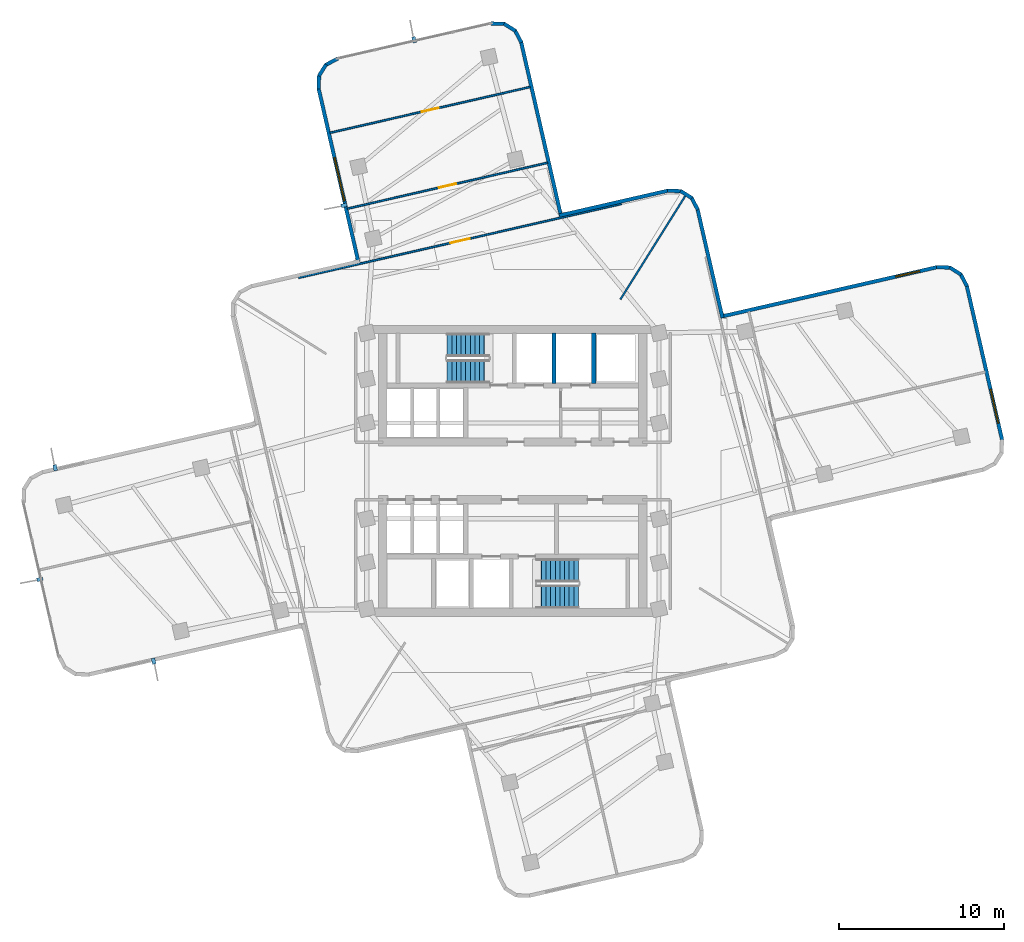
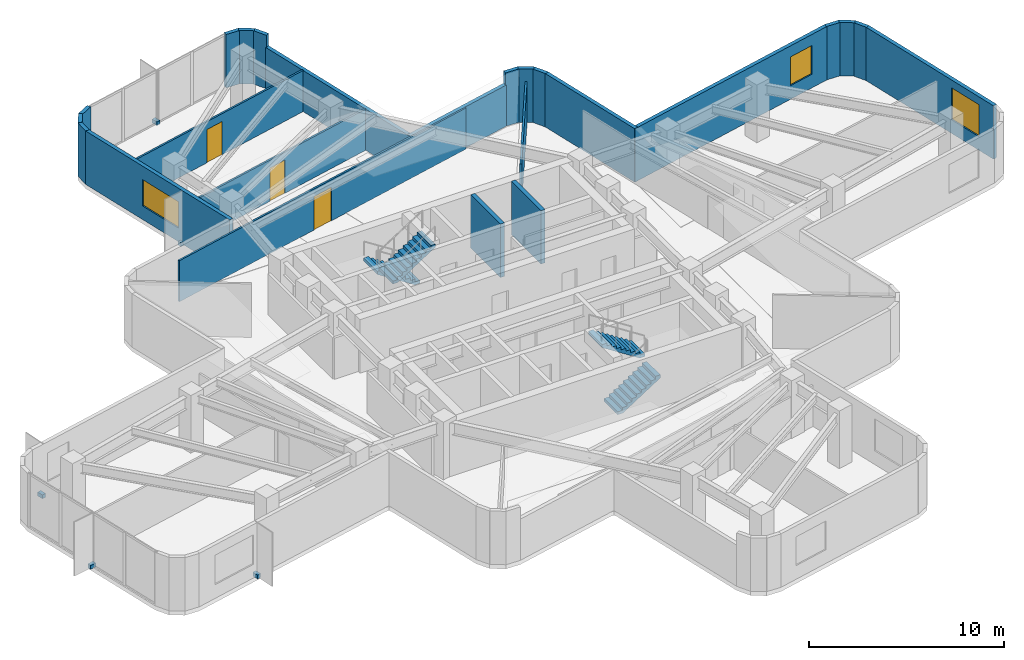
# One storey, part 8 of 11: 24 walls, 5 discrete accessories, 4 stair flights, 3 doors, 3 windows, 6 openings, 2 elements without a shape of their own.
"""IFC4 building model written with IfcOpenShell, lengths in metres."""

import ifcopenshell
import ifcopenshell.guid

model = None  # the IFC model being written
_history = None  # IfcOwnerHistory: only IFC2X3 demands one
_inside = {}  # id of a spatial element -> (the spatial element, [elements in it])
_under = {}  # id of a project, library or spatial element -> (it, [spatial elements below it])
_declared = {}  # id of a project -> (the project, [libraries it declares])
_typed = {}  # id of a type object -> (the type object, [elements of that type])
_made_of = {}  # id of a material, layer set ... -> (it, [elements and type objects made of it])


def new_model(schema):
    """Start an empty IFC model of exactly this schema.

    Asked for "IFC4X3", IfcOpenShell would pick the latest addendum, in which some entities
    have other attributes; the version numbers below select the first issue.
    IFC2X3 requires an IfcOwnerHistory on every rooted entity: one is made here for all.
    """
    global model, _history
    if schema == "IFC4X3":
        model = ifcopenshell.file(schema_version=(4, 3, 0, 0))
    else:
        model = ifcopenshell.file(schema=schema)
    _inside.clear()
    _under.clear()
    _declared.clear()
    _typed.clear()
    _made_of.clear()
    _history = None
    if model.schema == "IFC2X3":
        org = make("IfcOrganization", Name="unknown")
        user = make(
            "IfcPersonAndOrganization",
            ThePerson=make("IfcPerson", FamilyName="unknown"),
            TheOrganization=org,
        )
        app = make(
            "IfcApplication",
            ApplicationDeveloper=org,
            Version="unknown",
            ApplicationFullName="unknown",
            ApplicationIdentifier="unknown",
        )
        _history = make(
            "IfcOwnerHistory",
            OwningUser=user,
            OwningApplication=app,
            ChangeAction="ADDED",
            CreationDate=0,
        )
    return model


def make(cls, **values):
    """One entity of the class cls with the attributes given. An attribute that is None is left unset."""
    return model.create_entity(
        cls, **{name: value for name, value in values.items() if value is not None}
    )


def rooted(cls, **values):
    """An entity with a GlobalId (a new one), such as an element, a storey or a relation."""
    return make(cls, GlobalId=ifcopenshell.guid.new(), OwnerHistory=_history, **values)


def si_unit(unit_type, name, prefix=None):
    """IfcSIUnit, for example si_unit("LENGTHUNIT", "METRE", prefix="MILLI")."""
    return make("IfcSIUnit", UnitType=unit_type, Prefix=prefix, Name=name)


def assignment(units):
    """IfcUnitAssignment: the units of a project."""
    return None if units is None else make("IfcUnitAssignment", Units=units)


def point(xyz):
    """IfcCartesianPoint."""
    return None if xyz is None else make("IfcCartesianPoint", Coordinates=xyz)


def direction(xyz):
    """IfcDirection."""
    return None if xyz is None else make("IfcDirection", DirectionRatios=xyz)


def frame(location, z_axis=None, x_axis=None):
    """IfcAxis2Placement3D, a coordinate frame: its origin and axes. An axis left out is left unset."""
    return make(
        "IfcAxis2Placement3D",
        Location=point(location),
        Axis=direction(z_axis),
        RefDirection=direction(x_axis),
    )


def frame_2d(location, x_axis=None):
    """IfcAxis2Placement2D, a coordinate frame in the plane: its origin and x axis."""
    return make(
        "IfcAxis2Placement2D", Location=point(location), RefDirection=direction(x_axis)
    )


def origin():
    """The frame at (0, 0, 0) with its axes left unset."""
    return frame((0.0, 0.0, 0.0))


def origin_2d():
    """The frame at (0, 0) in the plane with its x axis left unset."""
    return frame_2d((0.0, 0.0))


def place(relative_to, where):
    """IfcLocalPlacement: puts the frame where relative to a parent placement (None: the world)."""
    return make(
        "IfcLocalPlacement", PlacementRelTo=relative_to, RelativePlacement=where
    )


def context(
    kind, dimensions, precision=None, world=None, true_north=None, identifier=None
):
    """IfcGeometricRepresentationContext, for example the 3D "Model" context."""
    return make(
        "IfcGeometricRepresentationContext",
        ContextIdentifier=identifier,
        ContextType=kind,
        CoordinateSpaceDimension=dimensions,
        Precision=precision,
        WorldCoordinateSystem=world,
        TrueNorth=true_north,
    )


def subcontext(parent, identifier, kind, view, scale=None):
    """IfcGeometricRepresentationSubContext, for example "Body" below "Model"."""
    return make(
        "IfcGeometricRepresentationSubContext",
        ContextIdentifier=identifier,
        ContextType=kind,
        ParentContext=parent,
        TargetScale=scale,
        TargetView=view,
    )


def project(units=None, contexts=None):
    """IfcProject with its units and contexts."""
    return rooted(
        "IfcProject",
        Name="project",
        RepresentationContexts=contexts,
        UnitsInContext=assignment(units),
    )


def spatial(cls, under=None, at=None, **own):
    """A site, building, storey or space (cls), placed at a placement, below another one or the project."""
    s = rooted(cls, ObjectPlacement=at, **own)
    if under is not None:
        _under.setdefault(under.id(), (under, []))[1].append(s)
    return s


def polyline(points):
    """IfcPolyline through the points."""
    return make("IfcPolyline", Points=[point(p) for p in points])


def profile(cls, at=None, kind="AREA", **sizes):
    """A parametric profile (cls). Its sizes go by their IFC names, for example OverallWidth=200.0."""
    return make(cls, ProfileType=kind, Position=at, **sizes)


def rectangle(**sizes):
    """IfcRectangleProfileDef."""
    return profile("IfcRectangleProfileDef", **sizes)


def outline(outer, holes=None, kind="AREA"):
    """IfcArbitraryClosedProfileDef: a profile drawn as a closed curve; with holes, ...WithVoids."""
    if holes is None:
        return make("IfcArbitraryClosedProfileDef", ProfileType=kind, OuterCurve=outer)
    return make(
        "IfcArbitraryProfileDefWithVoids",
        ProfileType=kind,
        OuterCurve=outer,
        InnerCurves=holes,
    )


def extrude(swept, where, along, depth):
    """IfcExtrudedAreaSolid: the profile swept, set in the frame where, extruded along a direction by depth."""
    return make(
        "IfcExtrudedAreaSolid",
        SweptArea=swept,
        Position=where,
        ExtrudedDirection=direction(along),
        Depth=depth,
    )


def shape(context_of_items, identifier, shape_type, items):
    """IfcShapeRepresentation: the items that make up one representation, for example the "Body"."""
    return make(
        "IfcShapeRepresentation",
        ContextOfItems=context_of_items,
        RepresentationIdentifier=identifier,
        RepresentationType=shape_type,
        Items=items,
    )


def material(Name=None, Category=None):
    """IfcMaterial."""
    return make("IfcMaterial", Name=Name, Category=Category)


def layer(
    of_material, thickness, ventilated=None, Name=None, Category=None, Priority=None
):
    """IfcMaterialLayer: one layer of a wall or slab, of a material (None: an air gap)."""
    return make(
        "IfcMaterialLayer",
        Material=of_material,
        LayerThickness=thickness,
        IsVentilated=ventilated,
        Name=Name,
        Category=Category,
        Priority=Priority,
    )


def layer_set(layers, Name=None):
    """IfcMaterialLayerSet."""
    return make("IfcMaterialLayerSet", MaterialLayers=layers, LayerSetName=Name)


def made_of(thing, what):
    """Note that an element or type object is made of a material, layer set ...; save() writes the relation."""
    if what is not None:
        _made_of.setdefault(what.id(), (what, []))[1].append(thing)
    return thing


def type_object(cls, material=None, **own):
    """A type object (cls), such as IfcWallType, which elements share."""
    return made_of(rooted(cls, **own), material)


def element(
    cls,
    number,
    at=None,
    inside=None,
    cuts=None,
    type_object=None,
    material=None,
    context=None,
    identifier="Body",
    shape_type=None,
    held_by="IfcProductDefinitionShape",
    body=None,
    shapes=None,
    **own,
):
    """One element of the class cls, such as IfcWall. Its Tag is "e" and its number.

    at: its placement. inside: the storey or other place that contains it. cuts: it is an
    opening in that element (IfcRelVoidsElement). A single representation is given by context,
    identifier, shape_type and body (its items); several are given by shapes. held_by: the class
    of the entity that holds the representations. save() writes the other relations.
    """
    e = rooted(cls, Tag="e%d" % number, ObjectPlacement=at, **own)
    if body is not None:
        shapes = [shape(context, identifier, shape_type, body)]
    if shapes is not None:
        e.Representation = make(held_by, Representations=shapes)
    if inside is not None:
        _inside.setdefault(inside.id(), (inside, []))[1].append(e)
    if cuts is not None:
        rooted(
            "IfcRelVoidsElement", RelatingBuildingElement=cuts, RelatedOpeningElement=e
        )
    if type_object is not None:
        _typed.setdefault(type_object.id(), (type_object, []))[1].append(e)
    return made_of(e, material)


def fill(opening, filler):
    """IfcRelFillsElement: the door or window that sits in an opening."""
    return rooted(
        "IfcRelFillsElement",
        RelatingOpeningElement=opening,
        RelatedBuildingElement=filler,
    )


def aggregate(whole, parts):
    """IfcRelAggregates: a whole, such as a stair, and the parts it consists of."""
    return rooted("IfcRelAggregates", RelatingObject=whole, RelatedObjects=parts)


def save(model, path):
    """Write the relations noted so far, then the file.

    IfcRelAggregates (storeys below a building ...), IfcRelContainedInSpatialStructure (elements
    in a storey), IfcRelDefinesByType, IfcRelAssociatesMaterial and IfcRelDeclares: one each for
    every whole, place, type object, material and project.
    """
    for whole, parts in _under.values():
        aggregate(whole, parts)
    for where, things in _inside.values():
        rooted(
            "IfcRelContainedInSpatialStructure",
            RelatedElements=things,
            RelatingStructure=where,
        )
    for kind, things in _typed.values():
        rooted("IfcRelDefinesByType", RelatedObjects=things, RelatingType=kind)
    for what, things in _made_of.values():
        rooted("IfcRelAssociatesMaterial", RelatedObjects=things, RelatingMaterial=what)
    for by, libraries in _declared.values():
        rooted("IfcRelDeclares", RelatingContext=by, RelatedDefinitions=libraries)
    model.write(path)


model = new_model("IFC4")

# Units and contexts
model_context = context("Model", 3, precision=1e-05, world=origin(), true_north=direction((0.0, 1.0)))
body_context = subcontext(model_context, "Body", "Model", "MODEL_VIEW")
ifc_project = project(units=[si_unit("LENGTHUNIT", "METRE"), si_unit("AREAUNIT", "SQUARE_METRE"), si_unit("VOLUMEUNIT", "CUBIC_METRE"), si_unit("PLANEANGLEUNIT", "RADIAN"), si_unit("MASSUNIT", "GRAM", prefix="KILO")], contexts=[model_context])

# Site, building, storey
site_placement = place(None, origin())
site = spatial("IfcSite", under=ifc_project, at=site_placement, CompositionType="ELEMENT")
building_placement = place(site_placement, origin())
building = spatial("IfcBuilding", under=site, at=building_placement, Name="Solmarez Civic Tower", CompositionType="ELEMENT")
storey_placement = place(building_placement, frame((0.0, 0.0, 119.8798828125)))
storey = spatial("IfcBuildingStorey", under=building, at=storey_placement, Name="L31", CompositionType="ELEMENT", Elevation=119.8798828125)

# Wall, opening, window
ifc_material_1 = material(Name="Precast concrete C40/50", Category="concrete")
ifc_layer_1 = layer(ifc_material_1, 0.219970703125)
ifc_layer_set_1 = layer_set([ifc_layer_1], Name="Precast concrete C40/50")
wall_type_1 = type_object("IfcWallType", Name="WALL-EXT-220", PredefinedType="SOLIDWALL", material=ifc_layer_set_1)
wall_1_placement = place(storey_placement, frame((-9.3349609375, 12.5849609375, 0.0), z_axis=(0.0, 0.0, 1.0), x_axis=(-0.22331741435, 0.974745778369, 0.0)))
wall_1 = element("IfcWall", 1, at=wall_1_placement, inside=storey, type_object=wall_type_1, Name="L31 Exterior Precast Wall 20", PredefinedType="SOLIDWALL", context=body_context, shape_type="SweptSolid", body=[
    extrude(rectangle(XDim=10.859130859375, YDim=0.219970703125, at=frame_2d((5.4296875, 0.0))), origin(), (0.0, 0.0, 1.0), 3.340087890625),
])
opening_1_placement = place(wall_1_placement, frame((3.85009765625, 0.0, 0.85009765625)))
opening_1 = element("IfcOpeningElement", 2, at=opening_1_placement, cuts=wall_1, Name="Opening W-09", PredefinedType="OPENING", context=body_context, shape_type="SweptSolid", body=[
    extrude(rectangle(XDim=2.699951171875, YDim=1.64990234375, at=frame_2d((1.35009765625, 0.824951171875))), frame((0.0, 0.119873046875, 0.0), z_axis=(0.0, -1.0, 0.0), x_axis=(1.0, 0.0, 0.0)), (0.0, 0.0, 1.0), 0.239990234375),
])
ifc_material_2 = material(Name="Solar Control Bronze-Tinted Insulating Glass", Category="glass")
window_type_1 = type_object("IfcWindowType", Name="WIN-2700X1650", PartitioningType="SINGLE_PANEL", PredefinedType="WINDOW", material=ifc_material_2)
window_1_placement = place(opening_1_placement, origin())
window_1 = element("IfcWindow", 3, at=window_1_placement, inside=storey, type_object=window_type_1, Name="L31 Exterior Facade Window 20", OverallHeight=1.64990234375, OverallWidth=2.699951171875, PartitioningType="SINGLE_PANEL", PredefinedType="WINDOW", context=body_context, shape_type="SweptSolid", body=[
    extrude(rectangle(XDim=2.699951171875, YDim=1.64990234375, at=frame_2d((1.35009765625, 0.824951171875))), frame((0.0, 0.030029296875, 0.0), z_axis=(0.0, -1.0, 0.0), x_axis=(1.0, 0.0, 0.0)), (0.0, 0.0, 1.0), 0.06005859375),
])
fill(opening_1, window_1)

# Walls
wall_2_placement = place(storey_placement, frame((-11.7548828125, 23.12109375, 0.0), z_axis=(0.0, 0.0, 1.0), x_axis=(0.036903333482, 0.999318839999, 0.0)))
element("IfcWall", 4, at=wall_2_placement, inside=storey, type_object=wall_type_1, Name="L31 Exterior Precast Wall 21", PredefinedType="SOLIDWALL", context=body_context, shape_type="SweptSolid", body=[
    extrude(rectangle(XDim=0.83349609375, YDim=0.219970703125, at=frame_2d((0.416748046875, 0.0))), origin(), (0.0, 0.0, 1.0), 3.340087890625),
])
wall_3_placement = place(storey_placement, frame((-11.738037109375, 23.907958984375, 0.0), z_axis=(0.0, 0.0, 1.0), x_axis=(0.531096868492, 0.847311109497, 0.0)))
element("IfcWall", 5, at=wall_3_placement, inside=storey, type_object=wall_type_1, Name="L31 Exterior Precast Wall 22", PredefinedType="SOLIDWALL", context=body_context, shape_type="SweptSolid", body=[
    extrude(rectangle(XDim=0.819091796875, YDim=0.219970703125, at=frame_2d((0.40966796875, 0.0))), origin(), (0.0, 0.0, 1.0), 3.340087890625),
])
wall_4_placement = place(storey_placement, frame((-11.337890625, 24.569091796875, 0.0), z_axis=(0.0, 0.0, 1.0), x_axis=(0.883396009524, 0.468627240307, 0.0)))
element("IfcWall", 6, at=wall_4_placement, inside=storey, type_object=wall_type_1, Name="L31 Exterior Precast Wall 23", PredefinedType="SOLIDWALL", context=body_context, shape_type="SweptSolid", body=[
    extrude(rectangle(XDim=0.833984375, YDim=0.219970703125, at=frame_2d((0.4169921875, 0.0))), origin(), (0.0, 0.0, 1.0), 3.340087890625),
])
wall_5_placement = place(storey_placement, frame((-1.319091796875, 27.0859375, 0.0), z_axis=(0.0, 0.0, 1.0), x_axis=(0.999309614288, -0.037152318798, 0.0)))
element("IfcWall", 7, at=wall_5_placement, inside=storey, type_object=wall_type_1, Name="L31 Exterior Precast Wall 25", PredefinedType="SOLIDWALL", context=body_context, shape_type="SweptSolid", body=[
    extrude(rectangle(XDim=0.83447265625, YDim=0.219970703125, at=frame_2d((0.417236328125, 0.0))), origin(), (0.0, 0.0, 1.0), 3.340087890625),
])
wall_6_placement = place(storey_placement, frame((-0.531005859375, 27.069091796875, 0.0), z_axis=(0.0, 0.0, 1.0), x_axis=(0.847311109497, -0.531096868492, 0.0)))
element("IfcWall", 8, at=wall_6_placement, inside=storey, type_object=wall_type_1, Name="L31 Exterior Precast Wall 26", PredefinedType="SOLIDWALL", context=body_context, shape_type="SweptSolid", body=[
    extrude(rectangle(XDim=0.819091796875, YDim=0.219970703125, at=frame_2d((0.40966796875, 0.0))), origin(), (0.0, 0.0, 1.0), 3.340087890625),
])
wall_7_placement = place(storey_placement, frame((0.1298828125, 26.6689453125, 0.0), z_axis=(0.0, 0.0, 1.0), x_axis=(0.468734444521, -0.883339131092, 0.0)))
element("IfcWall", 9, at=wall_7_placement, inside=storey, type_object=wall_type_1, Name="L31 Exterior Precast Wall 27", PredefinedType="SOLIDWALL", context=body_context, shape_type="SweptSolid", body=[
    extrude(rectangle(XDim=0.83447265625, YDim=0.219970703125, at=frame_2d((0.417236328125, 0.0))), origin(), (0.0, 0.0, 1.0), 3.340087890625),
])
wall_8_placement = place(storey_placement, frame((0.5029296875, 25.97802734375, 0.0), z_axis=(0.0, 0.0, 1.0), x_axis=(0.223251537739, -0.974760868571, 0.0)))
element("IfcWall", 10, at=wall_8_placement, inside=storey, type_object=wall_type_1, Name="L31 Exterior Precast Wall 28", PredefinedType="SOLIDWALL", context=body_context, shape_type="SweptSolid", body=[
    extrude(rectangle(XDim=10.85791015625, YDim=0.219970703125, at=frame_2d((5.428955078125, 0.0))), origin(), (0.0, 0.0, 1.0), 2.570068359375),
])
wall_9_placement = place(storey_placement, frame((2.821044921875, 15.4599609375, 0.0), z_axis=(0.0, 0.0, 1.0), x_axis=(0.974754598481, 0.223278912438, 0.0)))
element("IfcWall", 11, at=wall_9_placement, inside=storey, type_object=wall_type_1, Name="L31 Exterior Precast Wall 31", PredefinedType="SOLIDWALL", context=body_context, shape_type="SweptSolid", body=[
    extrude(rectangle(XDim=6.758544921875, YDim=0.219970703125, at=frame_2d((3.37939453125, 0.0))), origin(), (0.0, 0.0, 1.0), 2.570068359375),
])
wall_10_placement = place(storey_placement, frame((9.360107421875, 16.964111328125, 0.0), z_axis=(0.0, 0.0, 1.0), x_axis=(0.999352376715, -0.035983706773, 0.0)))
element("IfcWall", 12, at=wall_10_placement, inside=storey, type_object=wall_type_1, Name="L31 Exterior Precast Wall 32", PredefinedType="SOLIDWALL", context=body_context, shape_type="SweptSolid", body=[
    extrude(rectangle(XDim=0.83447265625, YDim=0.219970703125, at=frame_2d((0.417236328125, 0.0))), origin(), (0.0, 0.0, 1.0), 3.340087890625),
])
wall_11_placement = place(storey_placement, frame((10.14794921875, 16.947998046875, 0.0), z_axis=(0.0, 0.0, 1.0), x_axis=(0.847311109497, -0.531096868492, 0.0)))
element("IfcWall", 13, at=wall_11_placement, inside=storey, type_object=wall_type_1, Name="L31 Exterior Precast Wall 33", PredefinedType="SOLIDWALL", context=body_context, shape_type="SweptSolid", body=[
    extrude(rectangle(XDim=0.819091796875, YDim=0.219970703125, at=frame_2d((0.40966796875, 0.0))), origin(), (0.0, 0.0, 1.0), 3.340087890625),
])
wall_12_placement = place(storey_placement, frame((10.80908203125, 16.548095703125, 0.0), z_axis=(0.0, 0.0, 1.0), x_axis=(0.468506090516, -0.883460266876, 0.0)))
element("IfcWall", 14, at=wall_12_placement, inside=storey, type_object=wall_type_1, Name="L31 Exterior Precast Wall 34", PredefinedType="SOLIDWALL", context=body_context, shape_type="SweptSolid", body=[
    extrude(rectangle(XDim=0.834228515625, YDim=0.219970703125, at=frame_2d((0.4169921875, 0.0))), origin(), (0.0, 0.0, 1.0), 3.340087890625),
])
wall_13_placement = place(storey_placement, frame((11.181884765625, 15.85693359375, 0.0), z_axis=(0.0, 0.0, 1.0), x_axis=(0.223278912438, -0.974754598481, 0.0)))
element("IfcWall", 15, at=wall_13_placement, inside=storey, type_object=wall_type_1, Name="L31 Exterior Precast Wall 35", PredefinedType="SOLIDWALL", context=body_context, shape_type="SweptSolid", body=[
    extrude(rectangle(XDim=6.758544921875, YDim=0.219970703125, at=frame_2d((3.37939453125, 0.0))), origin(), (0.0, 0.0, 1.0), 3.340087890625),
])

# Wall, opening, window
wall_14_placement = place(storey_placement, frame((12.5849609375, 9.3349609375, 0.0), z_axis=(0.0, 0.0, 1.0), x_axis=(0.974754036658, 0.223281365141, 0.0)))
wall_14 = element("IfcWall", 16, at=wall_14_placement, inside=storey, type_object=wall_type_1, Name="L31 Exterior Precast Wall 38", PredefinedType="SOLIDWALL", context=body_context, shape_type="SweptSolid", body=[
    extrude(rectangle(XDim=13.458984375, YDim=0.219970703125, at=frame_2d((6.7294921875, 0.0))), origin(), (0.0, 0.0, 1.0), 3.340087890625),
])
opening_2_placement = place(wall_14_placement, frame((10.85888671875, 0.0, 0.85009765625)))
opening_2 = element("IfcOpeningElement", 17, at=opening_2_placement, cuts=wall_14, Name="Opening W-13", PredefinedType="OPENING", context=body_context, shape_type="SweptSolid", body=[
    extrude(rectangle(XDim=1.5, YDim=1.800048828125, at=frame_2d((0.75, 0.89990234375))), frame((0.0, 0.119873046875, 0.0), z_axis=(0.0, -1.0, 0.0), x_axis=(1.0, 0.0, 0.0)), (0.0, 0.0, 1.0), 0.239990234375),
])
window_type_2 = type_object("IfcWindowType", Name="WIN-1500X1800", PartitioningType="SINGLE_PANEL", PredefinedType="WINDOW", material=ifc_material_2)
window_2_placement = place(opening_2_placement, origin())
window_2 = element("IfcWindow", 18, at=window_2_placement, inside=storey, type_object=window_type_2, Name="L31 Exterior Facade Window 38", OverallHeight=1.800048828125, OverallWidth=1.5, PartitioningType="SINGLE_PANEL", PredefinedType="WINDOW", context=body_context, shape_type="SweptSolid", body=[
    extrude(rectangle(XDim=1.5, YDim=1.800048828125, at=frame_2d((0.75, 0.89990234375))), frame((0.0, 0.030029296875, 0.0), z_axis=(0.0, -1.0, 0.0), x_axis=(1.0, 0.0, 0.0)), (0.0, 0.0, 1.0), 0.06005859375),
])
fill(opening_2, window_2)

# Walls
wall_15_placement = place(storey_placement, frame((25.655029296875, 12.3349609375, 0.0), z_axis=(0.0, 0.0, 1.0), x_axis=(0.999352376715, -0.035983706773, 0.0)))
element("IfcWall", 19, at=wall_15_placement, inside=storey, type_object=wall_type_1, Name="L31 Exterior Precast Wall 39", PredefinedType="SOLIDWALL", context=body_context, shape_type="SweptSolid", body=[
    extrude(rectangle(XDim=0.83447265625, YDim=0.219970703125, at=frame_2d((0.417236328125, 0.0))), origin(), (0.0, 0.0, 1.0), 3.340087890625),
])
wall_16_placement = place(storey_placement, frame((26.443115234375, 12.319091796875, 0.0), z_axis=(0.0, 0.0, 1.0), x_axis=(0.846889988853, -0.531768132536, 0.0)))
element("IfcWall", 20, at=wall_16_placement, inside=storey, type_object=wall_type_1, Name="L31 Exterior Precast Wall 40", PredefinedType="SOLIDWALL", context=body_context, shape_type="SweptSolid", body=[
    extrude(rectangle(XDim=0.818115234375, YDim=0.219970703125, at=frame_2d((0.4091796875, 0.0))), origin(), (0.0, 0.0, 1.0), 3.340087890625),
])
wall_17_placement = place(storey_placement, frame((27.10302734375, 11.9189453125, 0.0), z_axis=(0.0, 0.0, 1.0), x_axis=(0.468506090516, -0.883460266876, 0.0)))
element("IfcWall", 21, at=wall_17_placement, inside=storey, type_object=wall_type_1, Name="L31 Exterior Precast Wall 41", PredefinedType="SOLIDWALL", context=body_context, shape_type="SweptSolid", body=[
    extrude(rectangle(XDim=0.834228515625, YDim=0.219970703125, at=frame_2d((0.4169921875, 0.0))), origin(), (0.0, 0.0, 1.0), 3.340087890625),
])

# Wall, opening, window
wall_18_placement = place(storey_placement, frame((27.47607421875, 11.22802734375, 0.0), z_axis=(0.0, 0.0, 1.0), x_axis=(0.223358074049, -0.974736462208, 0.0)))
wall_18 = element("IfcWall", 22, at=wall_18_placement, inside=storey, type_object=wall_type_1, Name="L31 Exterior Precast Wall 42", PredefinedType="SOLIDWALL", context=body_context, shape_type="SweptSolid", body=[
    extrude(rectangle(XDim=9.62109375, YDim=0.219970703125, at=frame_2d((4.810546875, 0.0))), origin(), (0.0, 0.0, 1.0), 3.340087890625),
])
opening_3_placement = place(wall_18_placement, frame((6.4541015625, 0.0, 0.85009765625)))
opening_3 = element("IfcOpeningElement", 23, at=opening_3_placement, cuts=wall_18, Name="Opening W-03", PredefinedType="OPENING", context=body_context, shape_type="SweptSolid", body=[
    extrude(rectangle(XDim=2.10009765625, YDim=2.0, at=frame_2d((1.050048828125, 1.0))), frame((0.0, 0.119873046875, 0.0), z_axis=(0.0, -1.0, 0.0), x_axis=(1.0, 0.0, 0.0)), (0.0, 0.0, 1.0), 0.239990234375),
])
window_type_3 = type_object("IfcWindowType", Name="WIN-2100X2000", PartitioningType="SINGLE_PANEL", PredefinedType="WINDOW", material=ifc_material_2)
window_3_placement = place(opening_3_placement, origin())
window_3 = element("IfcWindow", 24, at=window_3_placement, inside=storey, type_object=window_type_3, Name="L31 Exterior Facade Window 42", OverallHeight=2.0, OverallWidth=2.10009765625, PartitioningType="SINGLE_PANEL", PredefinedType="WINDOW", context=body_context, shape_type="SweptSolid", body=[
    extrude(rectangle(XDim=2.10009765625, YDim=2.0, at=frame_2d((1.050048828125, 1.0))), frame((0.0, 0.030029296875, 0.0), z_axis=(0.0, -1.0, 0.0), x_axis=(1.0, 0.0, 0.0)), (0.0, 0.0, 1.0), 0.06005859375),
])
fill(opening_3, window_3)

# Wall
ifc_material_3 = material(Name="Gypsum Board Acoustic Steel-Stud Partition", Category="steel")
ifc_layer_2 = layer(ifc_material_3, 0.110107421875)
ifc_layer_set_2 = layer_set([ifc_layer_2], Name="Gypsum Board Acoustic Steel-Stud Partition")
wall_type_2 = type_object("IfcWallType", Name="WALL-INT-PART-110", PredefinedType="PARTITIONING", material=ifc_layer_set_2)
wall_19_placement = place(storey_placement, frame((6.511962890625, 10.3798828125, 0.0), z_axis=(0.0, 0.0, 1.0), x_axis=(0.531323053356, 0.847169294163, 0.0)))
element("IfcWall", 25, at=wall_19_placement, inside=storey, type_object=wall_type_2, Name="L31 Interior Partition PT-L31-QDIV-1", PredefinedType="PARTITIONING", context=body_context, shape_type="SweptSolid", body=[
    extrude(rectangle(XDim=7.42138671875, YDim=0.110107421875, at=frame_2d((3.710693359375, 0.0))), origin(), (0.0, 0.0, 1.0), 2.570068359375),
])

# Wall, opening, door
wall_20_placement = place(storey_placement, frame((-12.95703125, 11.69189453125, 0.0), z_axis=(0.0, 0.0, 1.0), x_axis=(0.97475845088, 0.223262093598, 0.0)))
wall_20 = element("IfcWall", 26, at=wall_20_placement, inside=storey, type_object=wall_type_2, Name="L31 Interior Partition PT-L31-N-ENT", PredefinedType="PARTITIONING", context=body_context, shape_type="SweptSolid", body=[
    extrude(rectangle(XDim=20.039794921875, YDim=0.110107421875, at=frame_2d((10.02001953125, 0.0))), origin(), (0.0, 0.0, 1.0), 2.570068359375),
])
opening_4_placement = place(wall_20_placement, frame((9.419921875, 0.0, 0.0)))
opening_4 = element("IfcOpeningElement", 27, at=opening_4_placement, cuts=wall_20, Name="Opening D-11", PredefinedType="OPENING", context=body_context, shape_type="SweptSolid", body=[
    extrude(rectangle(XDim=1.199951171875, YDim=2.10009765625, at=frame_2d((0.60009765625, 1.050048828125))), frame((0.0, 0.06494140625, 0.0), z_axis=(0.0, -1.0, 0.0), x_axis=(1.0, 0.0, 0.0)), (0.0, 0.0, 1.0), 0.130126953125),
])
ifc_material_4 = material(Name="Glazed-Vision Acoustic Chamber Door", Category="wood")
door_type_1 = type_object("IfcDoorType", Name="DOOR-INT-1200", OperationType="NOTDEFINED", PredefinedType="DOOR", material=ifc_material_4)
door_1_placement = place(opening_4_placement, origin())
door_1 = element("IfcDoor", 28, at=door_1_placement, inside=storey, type_object=door_type_1, Name="L31 Civic Seminar Classroom First North Door", OperationType="SINGLE_SWING_LEFT", OverallHeight=2.10009765625, OverallWidth=1.199951171875, PredefinedType="DOOR", context=body_context, shape_type="SweptSolid", body=[
    extrude(rectangle(XDim=1.199951171875, YDim=2.10009765625, at=frame_2d((0.60009765625, 1.050048828125))), frame((0.0, 0.02490234375, 0.0), z_axis=(0.0, -1.0, 0.0), x_axis=(1.0, 0.0, 0.0)), (0.0, 0.0, 1.0), 0.050048828125),
])
fill(opening_4, door_1)

wall_21_placement = place(storey_placement, frame((-10.011962890625, 15.875, 0.0), z_axis=(0.0, 0.0, 1.0), x_axis=(0.974744523099, 0.223322893337, 0.0)))
wall_21 = element("IfcWall", 29, at=wall_21_placement, inside=storey, type_object=wall_type_2, Name="L31 Interior Partition PT-L31-N-SC1", PredefinedType="PARTITIONING", context=body_context, shape_type="SweptSolid", body=[
    extrude(rectangle(XDim=12.429931640625, YDim=0.110107421875, at=frame_2d((6.21484375, 0.0))), origin(), (0.0, 0.0, 1.0), 2.570068359375),
])
opening_5_placement = place(wall_21_placement, frame((5.68994140625, 0.0, 0.0)))
opening_5 = element("IfcOpeningElement", 30, at=opening_5_placement, cuts=wall_21, Name="Opening D-13", PredefinedType="OPENING", context=body_context, shape_type="SweptSolid", body=[
    extrude(rectangle(XDim=1.050048828125, YDim=2.080078125, at=frame_2d((0.52490234375, 1.0400390625))), frame((0.0, 0.06494140625, 0.0), z_axis=(0.0, -1.0, 0.0), x_axis=(1.0, 0.0, 0.0)), (0.0, 0.0, 1.0), 0.130126953125),
])
ifc_material_5 = material(Name="Timber Directorate Office Door", Category="wood")
door_type_2 = type_object("IfcDoorType", Name="DOOR-INT-1050", OperationType="NOTDEFINED", PredefinedType="DOOR", material=ifc_material_5)
door_2_placement = place(opening_5_placement, origin())
door_2 = element("IfcDoor", 31, at=door_2_placement, inside=storey, type_object=door_type_2, Name="L31 Public Law Reading Room North Door", OperationType="SINGLE_SWING_LEFT", OverallHeight=2.080078125, OverallWidth=1.050048828125, PredefinedType="DOOR", context=body_context, shape_type="SweptSolid", body=[
    extrude(rectangle(XDim=1.050048828125, YDim=2.080078125, at=frame_2d((0.52490234375, 1.0400390625))), frame((0.0, 0.02490234375, 0.0), z_axis=(0.0, -1.0, 0.0), x_axis=(1.0, 0.0, 0.0)), (0.0, 0.0, 1.0), 0.050048828125),
])
fill(opening_5, door_2)

wall_22_placement = place(storey_placement, frame((-11.06298828125, 20.466064453125, 0.0), z_axis=(0.0, 0.0, 1.0), x_axis=(0.974744523099, 0.223322893337, 0.0)))
wall_22 = element("IfcWall", 32, at=wall_22_placement, inside=storey, type_object=wall_type_2, Name="L31 Interior Partition PT-L31-N-SC2", PredefinedType="PARTITIONING", context=body_context, shape_type="SweptSolid", body=[
    extrude(rectangle(XDim=12.429931640625, YDim=0.110107421875, at=frame_2d((6.21484375, 0.0))), origin(), (0.0, 0.0, 1.0), 2.570068359375),
])
opening_6_placement = place(wall_22_placement, frame((5.68994140625, 0.0, 0.0)))
opening_6 = element("IfcOpeningElement", 33, at=opening_6_placement, cuts=wall_22, Name="Opening D-13", PredefinedType="OPENING", context=body_context, shape_type="SweptSolid", body=[
    extrude(rectangle(XDim=1.050048828125, YDim=2.080078125, at=frame_2d((0.52490234375, 1.0400390625))), frame((0.0, 0.06494140625, 0.0), z_axis=(0.0, -1.0, 0.0), x_axis=(1.0, 0.0, 0.0)), (0.0, 0.0, 1.0), 0.130126953125),
])
door_3_placement = place(opening_6_placement, origin())
door_3 = element("IfcDoor", 34, at=door_3_placement, inside=storey, type_object=door_type_2, Name="L31 Municipal Co-Working Office North Door", OperationType="SINGLE_SWING_RIGHT", OverallHeight=2.080078125, OverallWidth=1.050048828125, PredefinedType="DOOR", context=body_context, shape_type="SweptSolid", body=[
    extrude(rectangle(XDim=1.050048828125, YDim=2.080078125, at=frame_2d((0.52490234375, 1.0400390625))), frame((0.0, 0.02490234375, 0.0), z_axis=(0.0, -1.0, 0.0), x_axis=(1.0, 0.0, 0.0)), (0.0, 0.0, 1.0), 0.050048828125),
])
fill(opening_6, door_3)

# Walls
ifc_material_6 = material(Name="Concrete C50/60", Category="concrete")
ifc_layer_3 = layer(ifc_material_6, 0.300048828125)
ifc_layer_set_3 = layer_set([ifc_layer_3], Name="Concrete C50/60")
wall_type_3 = type_object("IfcWallType", Name="WALL-STR-300", PredefinedType="SOLIDWALL", material=ifc_layer_set_3)
for number, where, z_axis, x_axis, name in (
    (35, (2.5, 5.300048828125, 0.0), (0.0, 0.0, 1.0), (0.0, 1.0, 0.0), "L31 Split-Core Structural Wall SHW-N2-L31"),
    (36, (4.89990234375, 5.300048828125, 0.0), (0.0, 0.0, 1.0), (0.0, 1.0, 0.0), "L31 Split-Core Structural Wall SHW-N3-L31"),
):
    element("IfcWall", number, at=place(storey_placement, frame(where, z_axis=z_axis, x_axis=x_axis)), inside=storey, type_object=wall_type_3, Name=name, PredefinedType="SOLIDWALL", context=body_context, shape_type="SweptSolid", body=[
        extrude(rectangle(XDim=3.0400390625, YDim=0.25, at=frame_2d((1.52001953125, 0.0))), origin(), (0.0, 0.0, 1.0), 3.340087890625),
    ])

# Stair, stair flights
stair_type = type_object("IfcStairType", Name="STAIR-DOGLEG-140W-20R-1800", PredefinedType="HALF_TURN_STAIR", material=ifc_material_6)
stair_1_placement = place(storey_placement, origin())
stair_1 = element("IfcStair", 37, at=stair_1_placement, inside=storey, type_object=stair_type, Name="L31 North Core Protected Exit Stair ST-1", PredefinedType="HALF_TURN_STAIR")
stair_flight_type = type_object("IfcStairFlightType", Name="FLIGHT-DOGLEG-140W-10R-1800", PredefinedType="STRAIGHT", material=ifc_material_6)
stair_flight_1_placement = place(storey_placement, frame((-1.449951171875, 7.6201171875, 0.0), z_axis=(0.0, 0.0, 1.0), x_axis=(-1.0, 0.0, 0.0)))
stair_flight_1 = element("IfcStairFlight", 38, at=stair_flight_1_placement, type_object=stair_flight_type, Name="ST-1 flight 1", NumberOfRisers=10, NumberOfTreads=9, PredefinedType="STRAIGHT", RiserHeight=0.18, TreadLength=0.28, context=body_context, shape_type="SweptSolid", body=[
    extrude(outline(polyline([(0.0, 0.0), (0.0, 0.179931640625), (0.280029296875, 0.179931640625), (0.280029296875, 0.360107421875), (0.56005859375, 0.360107421875), (0.56005859375, 0.5400390625), (0.840087890625, 0.5400390625), (0.840087890625, 0.719970703125), (1.1201171875, 0.719970703125), (1.1201171875, 0.89990234375), (1.39990234375, 0.89990234375), (1.39990234375, 1.080078125), (1.679931640625, 1.080078125), (1.679931640625, 1.260009765625), (1.9599609375, 1.260009765625), (1.9599609375, 1.43994140625), (2.239990234375, 1.43994140625), (2.239990234375, 1.6201171875), (2.52001953125, 1.6201171875), (2.52001953125, 1.800048828125), (2.52001953125, 1.429931640625), (0.295654296875, 0.0), (0.0, 0.0)])), frame((0.0, 0.699951171875, 0.0), z_axis=(0.0, -1.0, 0.0), x_axis=(1.0, 0.0, 0.0)), (0.0, 0.0, 1.0), 1.39990234375),
])
stair_flight_2_placement = place(storey_placement, frame((-3.969970703125, 6.02001953125, 1.800048828125), z_axis=(0.0, 0.0, 1.0), x_axis=(1.0, 0.0, 0.0)))
stair_flight_2 = element("IfcStairFlight", 39, at=stair_flight_2_placement, type_object=stair_flight_type, Name="ST-1 flight 2", NumberOfRisers=10, NumberOfTreads=9, PredefinedType="STRAIGHT", RiserHeight=0.18, TreadLength=0.28, context=body_context, shape_type="SweptSolid", body=[
    extrude(outline(polyline([(0.0, 0.0), (0.0, 0.179931640625), (0.280029296875, 0.179931640625), (0.280029296875, 0.360107421875), (0.56005859375, 0.360107421875), (0.56005859375, 0.5400390625), (0.840087890625, 0.5400390625), (0.840087890625, 0.719970703125), (1.1201171875, 0.719970703125), (1.1201171875, 0.89990234375), (1.39990234375, 0.89990234375), (1.39990234375, 1.080078125), (1.679931640625, 1.080078125), (1.679931640625, 1.260009765625), (1.9599609375, 1.260009765625), (1.9599609375, 1.43994140625), (2.239990234375, 1.43994140625), (2.239990234375, 1.6201171875), (2.52001953125, 1.6201171875), (2.52001953125, 1.800048828125), (2.52001953125, 1.429931640625), (0.295654296875, 0.0), (0.0, 0.0)])), frame((0.0, 0.699951171875, 0.0), z_axis=(0.0, -1.0, 0.0), x_axis=(1.0, 0.0, 0.0)), (0.0, 0.0, 1.0), 1.39990234375),
])
aggregate(stair_1, [stair_flight_1, stair_flight_2])

stair_2_placement = place(storey_placement, origin())
stair_2 = element("IfcStair", 40, at=stair_2_placement, inside=storey, type_object=stair_type, Name="L31 South Core Protected Exit Stair ST-2", PredefinedType="HALF_TURN_STAIR")
stair_flight_3_placement = place(storey_placement, frame((1.449951171875, -7.6201171875, 0.0), z_axis=(0.0, 0.0, 1.0), x_axis=(1.0, 0.0, 0.0)))
stair_flight_3 = element("IfcStairFlight", 41, at=stair_flight_3_placement, type_object=stair_flight_type, Name="ST-2 flight 1", NumberOfRisers=10, NumberOfTreads=9, PredefinedType="STRAIGHT", RiserHeight=0.18, TreadLength=0.28, context=body_context, shape_type="SweptSolid", body=[
    extrude(outline(polyline([(0.0, 0.0), (0.0, 0.179931640625), (0.280029296875, 0.179931640625), (0.280029296875, 0.360107421875), (0.56005859375, 0.360107421875), (0.56005859375, 0.5400390625), (0.840087890625, 0.5400390625), (0.840087890625, 0.719970703125), (1.1201171875, 0.719970703125), (1.1201171875, 0.89990234375), (1.39990234375, 0.89990234375), (1.39990234375, 1.080078125), (1.679931640625, 1.080078125), (1.679931640625, 1.260009765625), (1.9599609375, 1.260009765625), (1.9599609375, 1.43994140625), (2.239990234375, 1.43994140625), (2.239990234375, 1.6201171875), (2.52001953125, 1.6201171875), (2.52001953125, 1.800048828125), (2.52001953125, 1.429931640625), (0.295654296875, 0.0), (0.0, 0.0)])), frame((0.0, 0.699951171875, 0.0), z_axis=(0.0, -1.0, 0.0), x_axis=(1.0, 0.0, 0.0)), (0.0, 0.0, 1.0), 1.39990234375),
])
stair_flight_4_placement = place(storey_placement, frame((3.969970703125, -6.02001953125, 1.800048828125), z_axis=(0.0, 0.0, 1.0), x_axis=(-1.0, 0.0, 0.0)))
stair_flight_4 = element("IfcStairFlight", 42, at=stair_flight_4_placement, type_object=stair_flight_type, Name="ST-2 flight 2", NumberOfRisers=10, NumberOfTreads=9, PredefinedType="STRAIGHT", RiserHeight=0.18, TreadLength=0.28, context=body_context, shape_type="SweptSolid", body=[
    extrude(outline(polyline([(0.0, 0.0), (0.0, 0.179931640625), (0.280029296875, 0.179931640625), (0.280029296875, 0.360107421875), (0.56005859375, 0.360107421875), (0.56005859375, 0.5400390625), (0.840087890625, 0.5400390625), (0.840087890625, 0.719970703125), (1.1201171875, 0.719970703125), (1.1201171875, 0.89990234375), (1.39990234375, 0.89990234375), (1.39990234375, 1.080078125), (1.679931640625, 1.080078125), (1.679931640625, 1.260009765625), (1.9599609375, 1.260009765625), (1.9599609375, 1.43994140625), (2.239990234375, 1.43994140625), (2.239990234375, 1.6201171875), (2.52001953125, 1.6201171875), (2.52001953125, 1.800048828125), (2.52001953125, 1.429931640625), (0.295654296875, 0.0), (0.0, 0.0)])), frame((0.0, 0.699951171875, 0.0), z_axis=(0.0, -1.0, 0.0), x_axis=(1.0, 0.0, 0.0)), (0.0, 0.0, 1.0), 1.39990234375),
])
aggregate(stair_2, [stair_flight_3, stair_flight_4])

# Discrete accessories
ifc_material_7 = material(Name="Stainless Steel Grade 1.4401", Category="steel")
discrete_accessory_type = type_object("IfcDiscreteAccessoryType", Name="BRACKET-SS-FIN", PredefinedType="BRACKET", material=ifc_material_7)
for number, where, z_axis, x_axis, name in (
    (43, (-21.739013671875, -11.512939453125, -0.06005859375), (0.0, 0.0, 1.0), (0.223217455561, -0.974768673857, 0.0), "L31 Stainless Fin Support Bracket FIN-L31-01"),
    (44, (-28.6279296875, -6.556884765625, -0.06005859375), (0.0, 0.0, 1.0), (-0.974757903284, -0.223264484379, 0.0), "L31 Stainless Fin Support Bracket FIN-L31-02"),
    (45, (-27.700927734375, 0.18994140625, -0.06005859375), (0.0, 0.0, 1.0), (-0.223233760459, 0.974764939968, 0.0), "L31 Stainless Fin Support Bracket FIN-L31-03"),
    (46, (-10.217041015625, 16.075927734375, -0.06005859375), (0.0, 0.0, 1.0), (-0.97476312331, -0.223241692867, 0.0), "L31 Stainless Fin Support Bracket FIN-L31-04"),
    (47, (-5.97607421875, 26.093994140625, -0.06005859375), (0.0, 0.0, 1.0), (-0.223287223556, 0.974752694685, 0.0), "L31 Stainless Fin Support Bracket FIN-L31-05"),
):
    element("IfcDiscreteAccessory", number, at=place(storey_placement, frame(where, z_axis=z_axis, x_axis=x_axis)), inside=storey, type_object=discrete_accessory_type, Name=name, PredefinedType="BRACKET", context=body_context, shape_type="SweptSolid", body=[
        extrude(rectangle(XDim=0.360107421875, YDim=0.219970703125, at=origin_2d()), origin(), (0.0, 0.0, 1.0), 0.239990234375),
    ])

save(model, "model.ifc")
